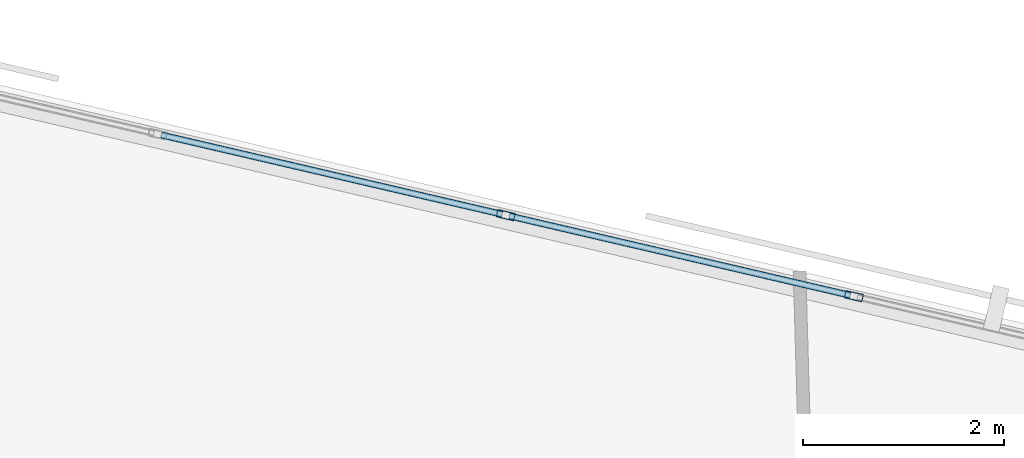
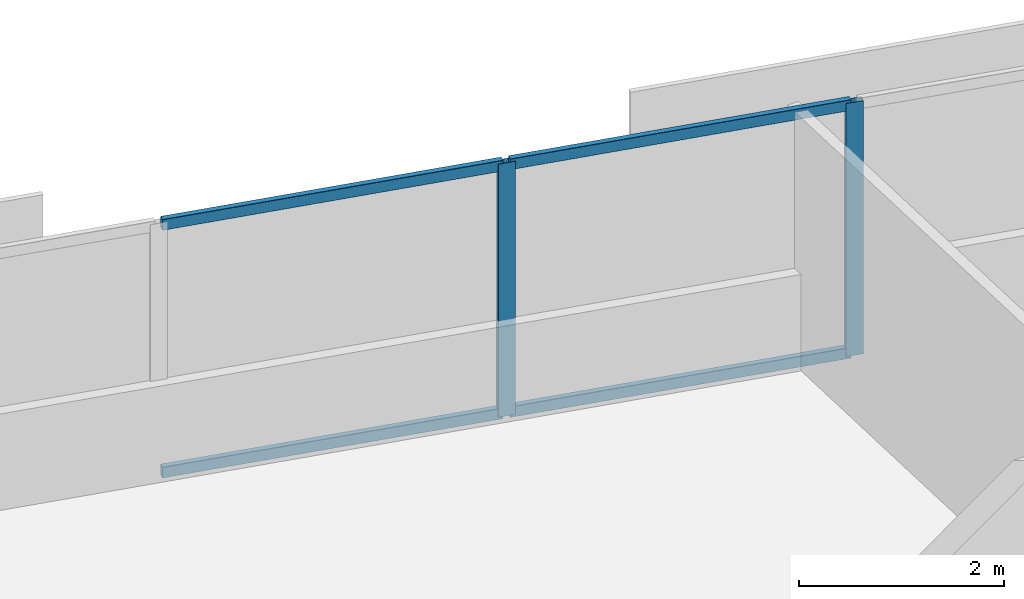
# One storey, part 7 of 14: 6 members, 1 element without a shape of its own.
"""IFC4 building model written with IfcOpenShell, lengths in metres."""

from ifc_helpers import new_model, si_unit, direction, frame, origin, origin_2d, place, context, subcontext, project, spatial, hollow_rectangle, extrude, material, material_profile, profile_set, type_object, element, aggregate, save


model = new_model("IFC4")

# Units and contexts
model_context = context("Model", 3, precision=1e-05, world=origin(), true_north=direction((0.0, 1.0)))
body_context = subcontext(model_context, "Body", "Model", "MODEL_VIEW")
ifc_project = project(units=[si_unit("LENGTHUNIT", "METRE"), si_unit("AREAUNIT", "SQUARE_METRE"), si_unit("VOLUMEUNIT", "CUBIC_METRE"), si_unit("PLANEANGLEUNIT", "RADIAN"), si_unit("MASSUNIT", "GRAM", prefix="KILO")], contexts=[model_context])

# Site, building, storey
site_placement = place(None, origin())
site = spatial("IfcSite", under=ifc_project, at=site_placement, CompositionType="ELEMENT")
building_placement = place(site_placement, origin())
building = spatial("IfcBuilding", under=site, at=building_placement, Name="Narakoshi Arena Tower", CompositionType="ELEMENT")
storey_placement = place(building_placement, frame((0.0, 0.0, 193.179931640625)))
storey = spatial("IfcBuildingStorey", under=building, at=storey_placement, Name="L52", CompositionType="ELEMENT", Elevation=193.179931640625)

# Curtain wall, members
ifc_material = material(Name="Anodised bronze aluminium 6063-T6", Category="aluminium")
curtain_wall_type = type_object("IfcCurtainWallType", Name="CW-HYP-MID", PredefinedType="NOTDEFINED", material=ifc_material)
curtain_wall_placement = place(storey_placement, origin())
curtain_wall = element("IfcCurtainWall", 1, at=curtain_wall_placement, inside=storey, type_object=curtain_wall_type, Name="L52 Folded Hypotenuse Curtain Wall 2-1", PredefinedType="NOTDEFINED")
ifc_material_profile_1 = material_profile(ifc_material, hollow_rectangle(XDim=0.074951171875, YDim=0.179931640625, WallThickness=0.00390625, OuterFilletRadius=0.0048828125, at=origin_2d()), Name="MUL180x75x4")
ifc_profile_set_1 = profile_set([ifc_material_profile_1], Name="Anodised bronze aluminium 6063-T6")
member_type_1 = type_object("IfcMemberType", Name="MEM-MUL-180", PredefinedType="MULLION", material=ifc_profile_set_1)
member_1_placement = place(storey_placement, frame((78.79150390625, 64.47216796875, 0.0), z_axis=(0.0, 0.0, 1.0), x_axis=(-0.22672122121, -0.973959695189, 0.0)))
member_1 = element("IfcMember", 2, at=member_1_placement, type_object=member_type_1, Name="CW-02 mullion 3", PredefinedType="MULLION", context=body_context, shape_type="SweptSolid", body=[
    extrude(hollow_rectangle(XDim=0.074951171875, YDim=0.179931640625, WallThickness=0.00390625, OuterFilletRadius=0.0048828125, at=origin_2d()), origin(), (0.0, 0.0, 1.0), 3.02001953125),
])
member_2_placement = place(storey_placement, frame((75.33056640625, 65.27783203125, 0.0), z_axis=(0.0, 0.0, 1.0), x_axis=(-0.22672122121, -0.973959695189, 0.0)))
member_2 = element("IfcMember", 3, at=member_2_placement, type_object=member_type_1, Name="CW-02 mullion 4", PredefinedType="MULLION", context=body_context, shape_type="SweptSolid", body=[
    extrude(hollow_rectangle(XDim=0.074951171875, YDim=0.179931640625, WallThickness=0.00390625, OuterFilletRadius=0.0048828125, at=origin_2d()), origin(), (0.0, 0.0, 1.0), 3.02001953125),
])
ifc_material_profile_2 = material_profile(ifc_material, hollow_rectangle(XDim=0.06494140625, YDim=0.1298828125, WallThickness=0.00390625, OuterFilletRadius=0.0048828125, at=origin_2d()), Name="TRN130x65x4")
ifc_profile_set_2 = profile_set([ifc_material_profile_2], Name="Anodised bronze aluminium 6063-T6")
member_type_2 = type_object("IfcMemberType", Name="MEM-TRN-130", PredefinedType="USERDEFINED", material=ifc_profile_set_2)
member_3_placement = place(storey_placement, frame((78.7548828125, 64.480712890625, 0.032470703125), z_axis=(-0.973961188664, 0.226714805375, 0.0), x_axis=(-0.226714805375, -0.973961188664, 0.0)))
member_3 = element("IfcMember", 4, at=member_3_placement, type_object=member_type_2, Name="CW-02 transom 3.1", ObjectType="TRANSOM", PredefinedType="USERDEFINED", context=body_context, shape_type="SweptSolid", body=[
    extrude(hollow_rectangle(XDim=0.06494140625, YDim=0.1298828125, WallThickness=0.00390625, OuterFilletRadius=0.0048828125, at=origin_2d()), origin(), (0.0, 0.0, 1.0), 3.478271484375),
])
member_4_placement = place(storey_placement, frame((78.7548828125, 64.480712890625, 2.987548828125), z_axis=(-0.973961188664, 0.226714805375, 0.0), x_axis=(-0.226714805375, -0.973961188664, 0.0)))
member_4 = element("IfcMember", 5, at=member_4_placement, type_object=member_type_2, Name="CW-02 transom 3.2", ObjectType="TRANSOM", PredefinedType="USERDEFINED", context=body_context, shape_type="SweptSolid", body=[
    extrude(hollow_rectangle(XDim=0.06494140625, YDim=0.1298828125, WallThickness=0.00390625, OuterFilletRadius=0.0048828125, at=origin_2d()), origin(), (0.0, 0.0, 1.0), 3.478271484375),
])
member_5_placement = place(storey_placement, frame((75.294189453125, 65.286376953125, 0.032470703125), z_axis=(-0.97396479605, 0.226699307577, 0.0), x_axis=(-0.226699307577, -0.97396479605, 0.0)))
member_5 = element("IfcMember", 6, at=member_5_placement, type_object=member_type_2, Name="CW-02 transom 4.1", ObjectType="TRANSOM", PredefinedType="USERDEFINED", context=body_context, shape_type="SweptSolid", body=[
    extrude(hollow_rectangle(XDim=0.06494140625, YDim=0.1298828125, WallThickness=0.00390625, OuterFilletRadius=0.0048828125, at=origin_2d()), origin(), (0.0, 0.0, 1.0), 3.478515625),
])
member_6_placement = place(storey_placement, frame((75.294189453125, 65.286376953125, 2.987548828125), z_axis=(-0.97396479605, 0.226699307577, 0.0), x_axis=(-0.226699307577, -0.97396479605, 0.0)))
member_6 = element("IfcMember", 7, at=member_6_placement, type_object=member_type_2, Name="CW-02 transom 4.2", ObjectType="TRANSOM", PredefinedType="USERDEFINED", context=body_context, shape_type="SweptSolid", body=[
    extrude(hollow_rectangle(XDim=0.06494140625, YDim=0.1298828125, WallThickness=0.00390625, OuterFilletRadius=0.0048828125, at=origin_2d()), origin(), (0.0, 0.0, 1.0), 3.478515625),
])
aggregate(curtain_wall, [member_1, member_2, member_3, member_4, member_5, member_6])

save(model, "model.ifc")
